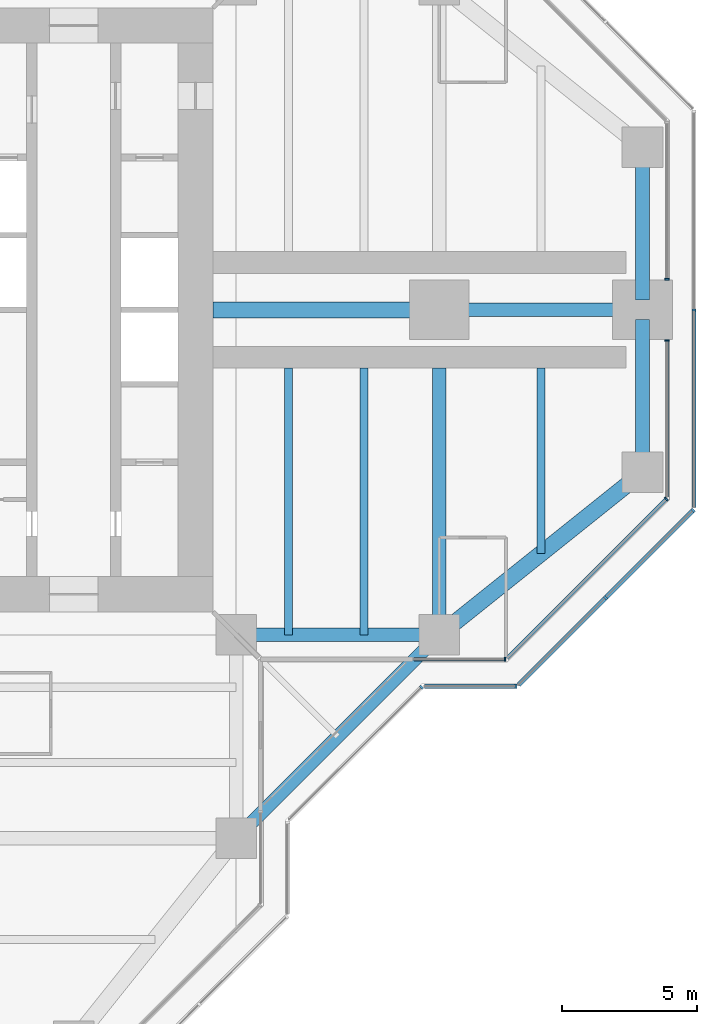
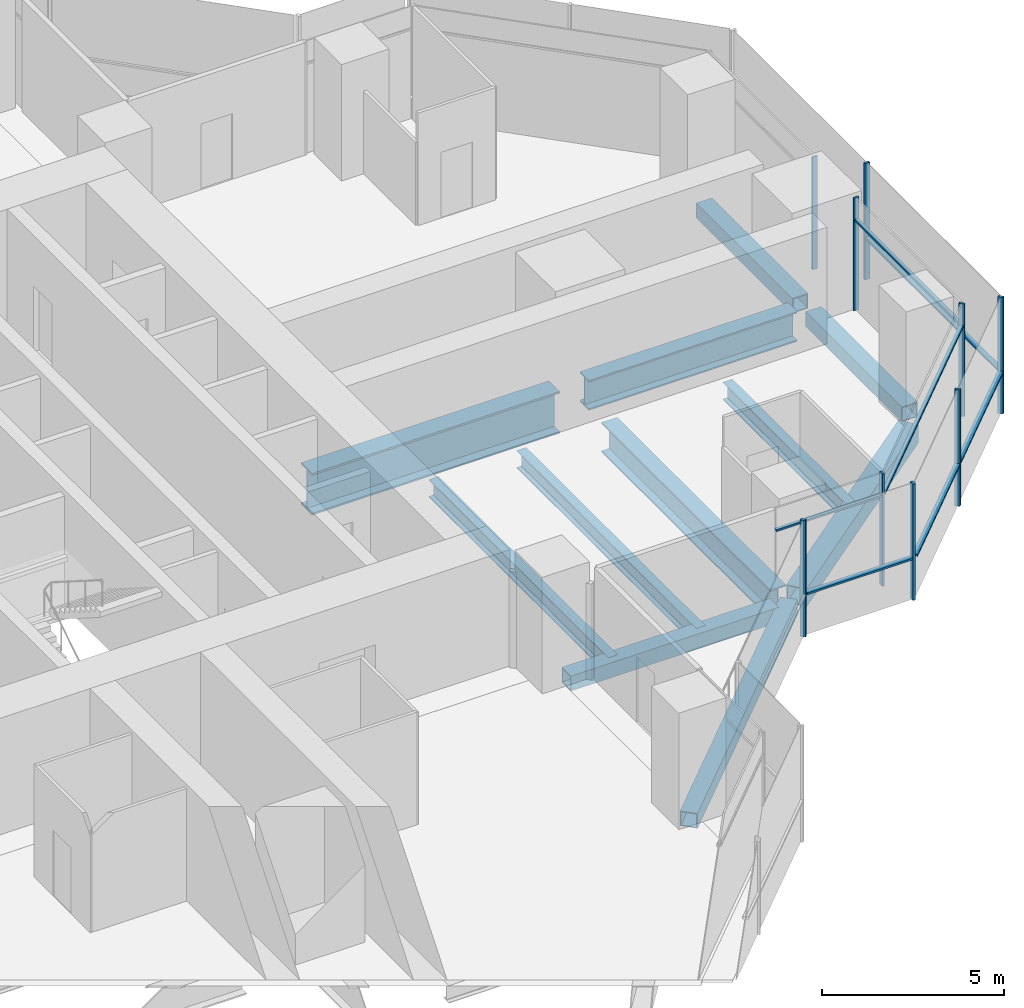
# One storey, part 5 of 17: 16 members, 11 beams, 8 elements without a shape of their own.
"""IFC4 building model written with IfcOpenShell, lengths in metres."""

from ifc_helpers import new_model, si_unit, direction, frame, origin, origin_2d, place, context, subcontext, project, spatial, rectangle, hollow_rectangle, i_section, extrude, material, material_profile, profile_set, type_object, element, aggregate, save


model = new_model("IFC4")

# Units and contexts
model_context = context("Model", 3, precision=1e-05, world=origin(), true_north=direction((0.0, 1.0)))
body_context = subcontext(model_context, "Body", "Model", "MODEL_VIEW")
ifc_project = project(units=[si_unit("LENGTHUNIT", "METRE"), si_unit("AREAUNIT", "SQUARE_METRE"), si_unit("VOLUMEUNIT", "CUBIC_METRE"), si_unit("PLANEANGLEUNIT", "RADIAN"), si_unit("MASSUNIT", "GRAM", prefix="KILO")], contexts=[model_context])

# Site, building, storey
site_placement = place(None, origin())
site = spatial("IfcSite", under=ifc_project, at=site_placement, CompositionType="ELEMENT")
building_placement = place(site_placement, origin())
building = spatial("IfcBuilding", under=site, at=building_placement, Name="Mizan Broadcast Tower", CompositionType="ELEMENT")
storey_placement = place(building_placement, frame((0.0, 0.0, 255.60009765625)))
storey = spatial("IfcBuildingStorey", under=building, at=storey_placement, Name="L60", CompositionType="ELEMENT", Elevation=255.60009765625)

# Beams
ifc_material_1 = material(Name="Steel S355", Category="steel")
ifc_material_profile_1 = material_profile(ifc_material_1, hollow_rectangle(XDim=0.5, YDim=0.5, WallThickness=0.030029296875, at=origin_2d()), Name="BOX 500x500x30")
ifc_profile_set_1 = profile_set([ifc_material_profile_1], Name="Steel S355")
beam_type_1 = type_object("IfcBeamType", Name="EDGE BEAM BOX 500x500x30", PredefinedType="SPANDREL", material=ifc_profile_set_1)
beam_1_placement = place(storey_placement, frame((12.449951171875, -12.0, -0.380126953125), z_axis=(1.0, 0.0, 0.0), x_axis=(0.0, 1.0, 0.0)))
element("IfcBeam", 1, at=beam_1_placement, inside=storey, type_object=beam_type_1, Name="Edge beam BOX 500x500x30 L60 east arm", PredefinedType="SPANDREL", context=body_context, shape_type="SweptSolid", body=[
    extrude(hollow_rectangle(XDim=0.5, YDim=0.5, WallThickness=0.030029296875, at=origin_2d()), origin(), (0.0, 0.0, 1.0), 6.60009765625),
])
for number, where, z_axis, x_axis, name in (
    (2, (27.0, -5.639892578125, -0.380126953125), (0.0, 1.0, 0.0), (-1.0, 0.0, 0.0), "Edge beam BOX 500x500x30 L60 east arm"),
    (3, (27.0, 5.639892578125, -0.380126953125), (0.0, -1.0, 0.0), (1.0, 0.0, 0.0), "Edge beam BOX 500x500x30 L60 east arm"),
):
    element("IfcBeam", number, at=place(storey_placement, frame(where, z_axis=z_axis, x_axis=x_axis)), inside=storey, type_object=beam_type_1, Name=name, PredefinedType="SPANDREL", context=body_context, shape_type="SweptSolid", body=[
        extrude(hollow_rectangle(XDim=0.5, YDim=0.5, WallThickness=0.030029296875, at=origin_2d()), origin(), (0.0, 0.0, 1.0), 5.27978515625),
    ])
beam_2_placement = place(storey_placement, frame((12.0, -19.5, -0.380126953125), z_axis=(0.707106781187, 0.707106781187, 0.0), x_axis=(-0.707106781187, 0.707106781187, 0.0)))
element("IfcBeam", 4, at=beam_2_placement, inside=storey, type_object=beam_type_1, Name="Winter garden edge beam L60 S", PredefinedType="SPANDREL", context=body_context, shape_type="SweptSolid", body=[
    extrude(hollow_rectangle(XDim=0.5, YDim=0.5, WallThickness=0.030029296875, at=origin_2d()), origin(), (0.0, 0.0, 1.0), 10.606689453125),
])
ifc_material_2 = material(Name="Steel S355", Category="steel")
ifc_material_profile_2 = material_profile(ifc_material_2, hollow_rectangle(XDim=0.60009765625, YDim=0.60009765625, WallThickness=0.030029296875, at=origin_2d()), Name="BOX 600x600x30")
ifc_profile_set_2 = profile_set([ifc_material_profile_2], Name="Steel S355")
beam_type_2 = type_object("IfcBeamType", Name="EDGE BEAM BOX 600x600x30", PredefinedType="SPANDREL", material=ifc_profile_set_2)
beam_3_placement = place(storey_placement, frame((19.949951171875, -11.639892578125, -0.43017578125), z_axis=(0.780885717636, 0.624673911726, 0.0), x_axis=(-0.624673911726, 0.780885717636, 0.0)))
element("IfcBeam", 5, at=beam_3_placement, inside=storey, type_object=beam_type_2, Name="Edge beam BOX 600x600x30 L60 east arm", PredefinedType="SPANDREL", context=body_context, shape_type="SweptSolid", body=[
    extrude(hollow_rectangle(XDim=0.60009765625, YDim=0.60009765625, WallThickness=0.030029296875, at=origin_2d()), origin(), (0.0, 0.0, 1.0), 8.4521484375),
])
ifc_material_3 = material(Name="Steel S460", Category="steel")
ifc_material_profile_3 = material_profile(ifc_material_3, i_section(OverallWidth=0.5, OverallDepth=1.0, WebThickness=0.02490234375, FlangeThickness=0.050048828125, at=origin_2d()), Name="WPG 1000x500")
ifc_profile_set_3 = profile_set([ifc_material_profile_3], Name="Steel S460")
beam_type_3 = type_object("IfcBeamType", Name="GIRDER WPG 1000x500", PredefinedType="BEAM", material=ifc_profile_set_3)
beam_4_placement = place(storey_placement, frame((19.949951171875, 0.0, -0.630126953125), z_axis=(1.0, 0.0, 0.0), x_axis=(0.0, 1.0, 0.0)))
element("IfcBeam", 6, at=beam_4_placement, inside=storey, type_object=beam_type_3, Name="Girder WPG 1000x500 L60 east arm", PredefinedType="BEAM", context=body_context, shape_type="SweptSolid", body=[
    extrude(i_section(OverallWidth=0.5, OverallDepth=1.0, WebThickness=0.02490234375, FlangeThickness=0.050048828125, at=origin_2d()), origin(), (0.0, 0.0, 1.0), 6.60009765625),
])
beam_5_placement = place(storey_placement, frame((19.5, -11.408935546875, -0.630126953125), z_axis=(0.0, 1.0, 0.0), x_axis=(-1.0, 0.0, 0.0)))
element("IfcBeam", 7, at=beam_5_placement, inside=storey, type_object=beam_type_3, Name="Girder WPG 1000x500 L60 east arm", PredefinedType="BEAM", context=body_context, shape_type="SweptSolid", body=[
    extrude(i_section(OverallWidth=0.5, OverallDepth=1.0, WebThickness=0.02490234375, FlangeThickness=0.050048828125, at=origin_2d()), origin(), (0.0, 0.0, 1.0), 9.259033203125),
])
ifc_material_4 = material(Name="Steel S460", Category="steel")
ifc_material_profile_4 = material_profile(ifc_material_4, i_section(OverallWidth=0.60009765625, OverallDepth=1.39990234375, WebThickness=0.02490234375, FlangeThickness=0.06005859375, at=origin_2d()), Name="WPG 1400x600")
ifc_profile_set_4 = profile_set([ifc_material_profile_4], Name="Steel S460")
beam_type_4 = type_object("IfcBeamType", Name="GIRDER WPG 1400x600", PredefinedType="BEAM", material=ifc_profile_set_4)
beam_6_placement = place(storey_placement, frame((11.14990234375, 0.0, -0.830078125), z_axis=(1.0, 0.0, 0.0), x_axis=(0.0, 1.0, 0.0)))
element("IfcBeam", 8, at=beam_6_placement, inside=storey, type_object=beam_type_4, Name="Girder WPG 1400x600 L60 east arm", PredefinedType="BEAM", context=body_context, shape_type="SweptSolid", body=[
    extrude(i_section(OverallWidth=0.60009765625, OverallDepth=1.39990234375, WebThickness=0.02490234375, FlangeThickness=0.06005859375, at=origin_2d()), origin(), (0.0, 0.0, 1.0), 7.84912109375),
])

# Curtain wall, member
ifc_material_5 = material(Name="Aluminium framed glazing", Category="aluminium")
curtain_wall_type_1 = type_object("IfcCurtainWallType", Name="INNER SKIN HIGH ZONE", PredefinedType="USERDEFINED", material=ifc_material_5)
curtain_wall_1_placement = place(storey_placement, origin())
curtain_wall_1 = element("IfcCurtainWall", 9, at=curtain_wall_1_placement, inside=storey, type_object=curtain_wall_type_1, Name="Inner skin high zone L60 E side", ObjectType="INNER SKIN HIGH ZONE", PredefinedType="USERDEFINED")
ifc_material_6 = material(Name="Aluminium, pale anodised", Category="aluminium")
ifc_material_profile_5 = material_profile(ifc_material_6, rectangle(XDim=0.159912109375, YDim=0.06005859375, at=origin_2d()), Name="MULLION 160x60")
ifc_profile_set_5 = profile_set([ifc_material_profile_5], Name="Aluminium, pale anodised")
member_type_1 = type_object("IfcMemberType", Name="INNER SKIN MULLION 60x160", PredefinedType="MULLION", material=ifc_profile_set_5)
member_1_placement = place(storey_placement, frame((21.928466796875, -12.89990234375, 0.0), z_axis=(0.0, 0.0, 1.0), x_axis=(0.0, 1.0, 0.0)))
member_1 = element("IfcMember", 10, at=member_1_placement, type_object=member_type_1, Name="Inner skin high zone L60 E side mullion 2", PredefinedType="MULLION", context=body_context, shape_type="SweptSolid", body=[
    extrude(rectangle(XDim=0.159912109375, YDim=0.06005859375, at=origin_2d()), origin(), (0.0, 0.0, 1.0), 3.77001953125),
])

curtain_wall_2_placement = place(storey_placement, origin())
curtain_wall_2 = element("IfcCurtainWall", 11, at=curtain_wall_2_placement, inside=storey, type_object=curtain_wall_type_1, Name="Inner skin high zone L60 E chamfer", ObjectType="INNER SKIN HIGH ZONE", PredefinedType="USERDEFINED")
member_2_placement = place(storey_placement, frame((27.87890625, -6.979736328125, 0.0), z_axis=(0.0, 0.0, 1.0), x_axis=(-0.707106781187, 0.707106781187, 0.0)))
member_2 = element("IfcMember", 12, at=member_2_placement, type_object=member_type_1, Name="Inner skin high zone L60 E chamfer mullion 2", PredefinedType="MULLION", context=body_context, shape_type="SweptSolid", body=[
    extrude(rectangle(XDim=0.159912109375, YDim=0.06005859375, at=origin_2d()), origin(), (0.0, 0.0, 1.0), 3.77001953125),
])

curtain_wall_3_placement = place(storey_placement, origin())
curtain_wall_3 = element("IfcCurtainWall", 13, at=curtain_wall_3_placement, inside=storey, type_object=curtain_wall_type_1, Name="Inner skin high zone L60 E end", ObjectType="INNER SKIN HIGH ZONE", PredefinedType="USERDEFINED")
member_3_placement = place(storey_placement, frame((27.89990234375, -1.1298828125, 0.0), z_axis=(0.0, 0.0, 1.0), x_axis=(-1.0, 0.0, 0.0)))
member_3 = element("IfcMember", 14, at=member_3_placement, type_object=member_type_1, Name="Inner skin high zone L60 E end mullion 2", PredefinedType="MULLION", context=body_context, shape_type="SweptSolid", body=[
    extrude(rectangle(XDim=0.159912109375, YDim=0.06005859375, at=origin_2d()), origin(), (0.0, 0.0, 1.0), 3.77001953125),
])

curtain_wall_4_placement = place(storey_placement, origin())
curtain_wall_4 = element("IfcCurtainWall", 15, at=curtain_wall_4_placement, inside=storey, type_object=curtain_wall_type_1, Name="Inner skin high zone L60 E end", ObjectType="INNER SKIN HIGH ZONE", PredefinedType="USERDEFINED")
member_4_placement = place(storey_placement, frame((27.89990234375, 1.1298828125, 0.0), z_axis=(0.0, 0.0, 1.0), x_axis=(-1.0, 0.0, 0.0)))
member_4 = element("IfcMember", 16, at=member_4_placement, type_object=member_type_1, Name="Inner skin high zone L60 E end mullion 1", PredefinedType="MULLION", context=body_context, shape_type="SweptSolid", body=[
    extrude(rectangle(XDim=0.159912109375, YDim=0.06005859375, at=origin_2d()), origin(), (0.0, 0.0, 1.0), 3.77001953125),
])
aggregate(curtain_wall_4, [member_4])

# Member
ifc_material_7 = material(Name="Aluminium, pale anodised", Category="aluminium")
ifc_material_profile_6 = material_profile(ifc_material_7, rectangle(XDim=0.1201171875, YDim=0.06005859375, at=origin_2d()), Name="TRANSOM 120x60")
ifc_profile_set_6 = profile_set([ifc_material_profile_6], Name="Aluminium, pale anodised")
member_type_2 = type_object("IfcMemberType", Name="INNER SKIN TRANSOM 60x120", PredefinedType="USERDEFINED", material=ifc_profile_set_6)
member_5_placement = place(storey_placement, frame((18.56005859375, -12.89990234375, 3.02978515625), z_axis=(1.0, 0.0, 0.0), x_axis=(0.0, 1.0, 0.0)))
member_5 = element("IfcMember", 17, at=member_5_placement, type_object=member_type_2, Name="Inner skin high zone L60 E side transom 1.1", ObjectType="TRANSOM", PredefinedType="USERDEFINED", context=body_context, shape_type="SweptSolid", body=[
    extrude(rectangle(XDim=0.1201171875, YDim=0.06005859375, at=origin_2d()), origin(), (0.0, 0.0, 1.0), 3.338623046875),
])

aggregate(curtain_wall_1, [member_1, member_5])

member_6_placement = place(storey_placement, frame((22.0009765625, -12.857666015625, 3.02978515625), z_axis=(0.707106781187, 0.707106781187, 0.0), x_axis=(-0.707106781187, 0.707106781187, 0.0)))
member_6 = element("IfcMember", 18, at=member_6_placement, type_object=member_type_2, Name="Inner skin high zone L60 E chamfer transom 1.1", ObjectType="TRANSOM", PredefinedType="USERDEFINED", context=body_context, shape_type="SweptSolid", body=[
    extrude(rectangle(XDim=0.1201171875, YDim=0.06005859375, at=origin_2d()), origin(), (0.0, 0.0, 1.0), 8.28271484375),
])

aggregate(curtain_wall_2, [member_2, member_6])

member_7_placement = place(storey_placement, frame((27.89990234375, -6.898681640625, 3.02978515625), z_axis=(0.0, 1.0, 0.0), x_axis=(-1.0, 0.0, 0.0)))
member_7 = element("IfcMember", 19, at=member_7_placement, type_object=member_type_2, Name="Inner skin high zone L60 E end transom 1.1", ObjectType="TRANSOM", PredefinedType="USERDEFINED", context=body_context, shape_type="SweptSolid", body=[
    extrude(rectangle(XDim=0.1201171875, YDim=0.06005859375, at=origin_2d()), origin(), (0.0, 0.0, 1.0), 5.73876953125),
])

aggregate(curtain_wall_3, [member_3, member_7])

# Curtain wall, members
ifc_material_8 = material(Name="Aluminium framed glazing", Category="aluminium")
curtain_wall_type_2 = type_object("IfcCurtainWallType", Name="OUTER SKIN", PredefinedType="USERDEFINED", material=ifc_material_8)
curtain_wall_5_placement = place(storey_placement, origin())
curtain_wall_5 = element("IfcCurtainWall", 20, at=curtain_wall_5_placement, inside=storey, type_object=curtain_wall_type_2, Name="Outer skin L60 E chamfer", ObjectType="OUTER SKIN", PredefinedType="USERDEFINED")
ifc_material_9 = material(Name="Aluminium, pale anodised", Category="aluminium")
ifc_material_profile_7 = material_profile(ifc_material_9, rectangle(XDim=0.159912109375, YDim=0.080078125, at=origin_2d()), Name="MULLION 160x80")
ifc_profile_set_7 = profile_set([ifc_material_profile_7], Name="Aluminium, pale anodised")
member_type_3 = type_object("IfcMemberType", Name="OUTER SKIN MULLION 80x160", PredefinedType="MULLION", material=ifc_profile_set_7)
member_8_placement = place(storey_placement, frame((25.636474609375, -10.636474609375, 0.0), z_axis=(0.0, 0.0, 1.0), x_axis=(-0.707106781187, 0.707106781187, 0.0)))
member_8 = element("IfcMember", 21, at=member_8_placement, type_object=member_type_3, Name="Outer skin L60 E chamfer mullion 2", PredefinedType="MULLION", context=body_context, shape_type="SweptSolid", body=[
    extrude(rectangle(XDim=0.159912109375, YDim=0.080078125, at=origin_2d()), origin(), (0.0, 0.0, 1.0), 3.89990234375),
])
member_9_placement = place(storey_placement, frame((28.871826171875, -7.401123046875, 0.0), z_axis=(0.0, 0.0, 1.0), x_axis=(-0.707106781187, 0.707106781187, 0.0)))
member_9 = element("IfcMember", 22, at=member_9_placement, type_object=member_type_3, Name="Outer skin L60 E chamfer mullion 3", PredefinedType="MULLION", context=body_context, shape_type="SweptSolid", body=[
    extrude(rectangle(XDim=0.159912109375, YDim=0.080078125, at=origin_2d()), origin(), (0.0, 0.0, 1.0), 3.89990234375),
])

# Curtain wall, member
curtain_wall_6_placement = place(storey_placement, origin())
curtain_wall_6 = element("IfcCurtainWall", 23, at=curtain_wall_6_placement, inside=storey, type_object=curtain_wall_type_2, Name="Outer skin L60 E end", ObjectType="OUTER SKIN", PredefinedType="USERDEFINED")
member_10_placement = place(storey_placement, frame((28.89990234375, 0.0, 0.0), z_axis=(0.0, 0.0, 1.0), x_axis=(-1.0, 0.0, 0.0)))
member_10 = element("IfcMember", 24, at=member_10_placement, type_object=member_type_3, Name="Outer skin L60 E end mullion 2", PredefinedType="MULLION", context=body_context, shape_type="SweptSolid", body=[
    extrude(rectangle(XDim=0.159912109375, YDim=0.080078125, at=origin_2d()), origin(), (0.0, 0.0, 1.0), 3.89990234375),
])

curtain_wall_7_placement = place(storey_placement, origin())
curtain_wall_7 = element("IfcCurtainWall", 25, at=curtain_wall_7_placement, inside=storey, type_object=curtain_wall_type_2, Name="Outer skin L60 E chamfer", ObjectType="OUTER SKIN", PredefinedType="USERDEFINED")
member_11_placement = place(storey_placement, frame((18.844482421875, -13.92822265625, 0.0), z_axis=(0.0, 0.0, 1.0), x_axis=(-0.707106781187, 0.707106781187, 0.0)))
member_11 = element("IfcMember", 26, at=member_11_placement, type_object=member_type_3, Name="Outer skin L60 E chamfer mullion 2", PredefinedType="MULLION", context=body_context, shape_type="SweptSolid", body=[
    extrude(rectangle(XDim=0.159912109375, YDim=0.080078125, at=origin_2d()), origin(), (0.0, 0.0, 1.0), 3.89990234375),
])
aggregate(curtain_wall_7, [member_11])

curtain_wall_8_placement = place(storey_placement, origin())
curtain_wall_8 = element("IfcCurtainWall", 27, at=curtain_wall_8_placement, inside=storey, type_object=curtain_wall_type_2, Name="Outer skin L60 E side", ObjectType="OUTER SKIN", PredefinedType="USERDEFINED")
member_12_placement = place(storey_placement, frame((22.332763671875, -13.89990234375, 0.0), z_axis=(0.0, 0.0, 1.0), x_axis=(0.0, 1.0, 0.0)))
member_12 = element("IfcMember", 28, at=member_12_placement, type_object=member_type_3, Name="Outer skin L60 E side mullion 2", PredefinedType="MULLION", context=body_context, shape_type="SweptSolid", body=[
    extrude(rectangle(XDim=0.159912109375, YDim=0.080078125, at=origin_2d()), origin(), (0.0, 0.0, 1.0), 3.89990234375),
])

# Member
ifc_material_10 = material(Name="Aluminium, pale anodised", Category="aluminium")
ifc_material_profile_8 = material_profile(ifc_material_10, rectangle(XDim=0.159912109375, YDim=0.06005859375, at=origin_2d()), Name="TRANSOM 160x60")
ifc_profile_set_8 = profile_set([ifc_material_profile_8], Name="Aluminium, pale anodised")
member_type_4 = type_object("IfcMemberType", Name="OUTER SKIN TRANSOM 60x160", PredefinedType="USERDEFINED", material=ifc_profile_set_8)
member_13_placement = place(storey_placement, frame((22.429443359375, -13.843505859375, 1.39990234375), z_axis=(0.707106781187, 0.707106781187, 0.0), x_axis=(-0.707106781187, 0.707106781187, 0.0)))
member_13 = element("IfcMember", 29, at=member_13_placement, type_object=member_type_4, Name="Outer skin L60 E chamfer transom 1.1", ObjectType="TRANSOM", PredefinedType="USERDEFINED", context=body_context, shape_type="SweptSolid", body=[
    extrude(rectangle(XDim=0.159912109375, YDim=0.06005859375, at=origin_2d()), origin(), (0.0, 0.0, 1.0), 4.495361328125),
])

member_14_placement = place(storey_placement, frame((25.664794921875, -10.608154296875, 1.39990234375), z_axis=(0.707106781187, 0.707106781187, 0.0), x_axis=(-0.707106781187, 0.707106781187, 0.0)))
member_14 = element("IfcMember", 30, at=member_14_placement, type_object=member_type_4, Name="Outer skin L60 E chamfer transom 2.1", ObjectType="TRANSOM", PredefinedType="USERDEFINED", context=body_context, shape_type="SweptSolid", body=[
    extrude(rectangle(XDim=0.159912109375, YDim=0.06005859375, at=origin_2d()), origin(), (0.0, 0.0, 1.0), 4.495361328125),
])

aggregate(curtain_wall_5, [member_8, member_9, member_13, member_14])

member_15_placement = place(storey_placement, frame((28.89990234375, -7.292724609375, 1.39990234375), z_axis=(0.0, 1.0, 0.0), x_axis=(-1.0, 0.0, 0.0)))
member_15 = element("IfcMember", 31, at=member_15_placement, type_object=member_type_4, Name="Outer skin L60 E end transom 1.1", ObjectType="TRANSOM", PredefinedType="USERDEFINED", context=body_context, shape_type="SweptSolid", body=[
    extrude(rectangle(XDim=0.159912109375, YDim=0.06005859375, at=origin_2d()), origin(), (0.0, 0.0, 1.0), 7.252685546875),
])

aggregate(curtain_wall_6, [member_10, member_15])

member_16_placement = place(storey_placement, frame((18.952880859375, -13.89990234375, 1.39990234375), z_axis=(1.0, 0.0, 0.0), x_axis=(0.0, 1.0, 0.0)))
member_16 = element("IfcMember", 32, at=member_16_placement, type_object=member_type_4, Name="Outer skin L60 E side transom 1.1", ObjectType="TRANSOM", PredefinedType="USERDEFINED", context=body_context, shape_type="SweptSolid", body=[
    extrude(rectangle(XDim=0.159912109375, YDim=0.06005859375, at=origin_2d()), origin(), (0.0, 0.0, 1.0), 3.33984375),
])

aggregate(curtain_wall_8, [member_12, member_16])

# Beams
ifc_material_11 = material(Name="Steel S355", Category="steel")
ifc_material_profile_9 = material_profile(ifc_material_11, i_section(OverallWidth=0.300048828125, OverallDepth=0.590087890625, WebThickness=0.012939453125, FlangeThickness=0.02490234375, FilletRadius=0.027099609375, at=origin_2d()), Name="HEA 600")
ifc_profile_set_9 = profile_set([ifc_material_profile_9], Name="Steel S355")
beam_type_5 = type_object("IfcBeamType", Name="SECONDARY BEAM HEA 600", PredefinedType="JOIST", material=ifc_profile_set_9)
for number, where, z_axis, x_axis, name in (
    (33, (13.933349609375, -12.0, -0.425048828125), (0.0, 1.0, 0.0), (-1.0, 0.0, 0.0), "Secondary beam HEA 600 L60 east arm"),
    (34, (16.716552734375, -12.0, -0.425048828125), (0.0, 1.0, 0.0), (-1.0, 0.0, 0.0), "Secondary beam HEA 600 L60 east arm"),
):
    element("IfcBeam", number, at=place(storey_placement, frame(where, z_axis=z_axis, x_axis=x_axis)), inside=storey, type_object=beam_type_5, Name=name, PredefinedType="JOIST", context=body_context, shape_type="SweptSolid", body=[
        extrude(i_section(OverallWidth=0.300048828125, OverallDepth=0.590087890625, WebThickness=0.012939453125, FlangeThickness=0.02490234375, FilletRadius=0.027099609375, at=origin_2d()), origin(), (0.0, 0.0, 1.0), 9.85009765625),
    ])
beam_7_placement = place(storey_placement, frame((23.25, -9.0, -0.425048828125), z_axis=(0.0, 1.0, 0.0), x_axis=(-1.0, 0.0, 0.0)))
element("IfcBeam", 35, at=beam_7_placement, inside=storey, type_object=beam_type_5, Name="Secondary beam HEA 600 L60 east arm", PredefinedType="JOIST", context=body_context, shape_type="SweptSolid", body=[
    extrude(i_section(OverallWidth=0.300048828125, OverallDepth=0.590087890625, WebThickness=0.012939453125, FlangeThickness=0.02490234375, FilletRadius=0.027099609375, at=origin_2d()), origin(), (0.0, 0.0, 1.0), 6.85009765625),
])

save(model, "model.ifc")
